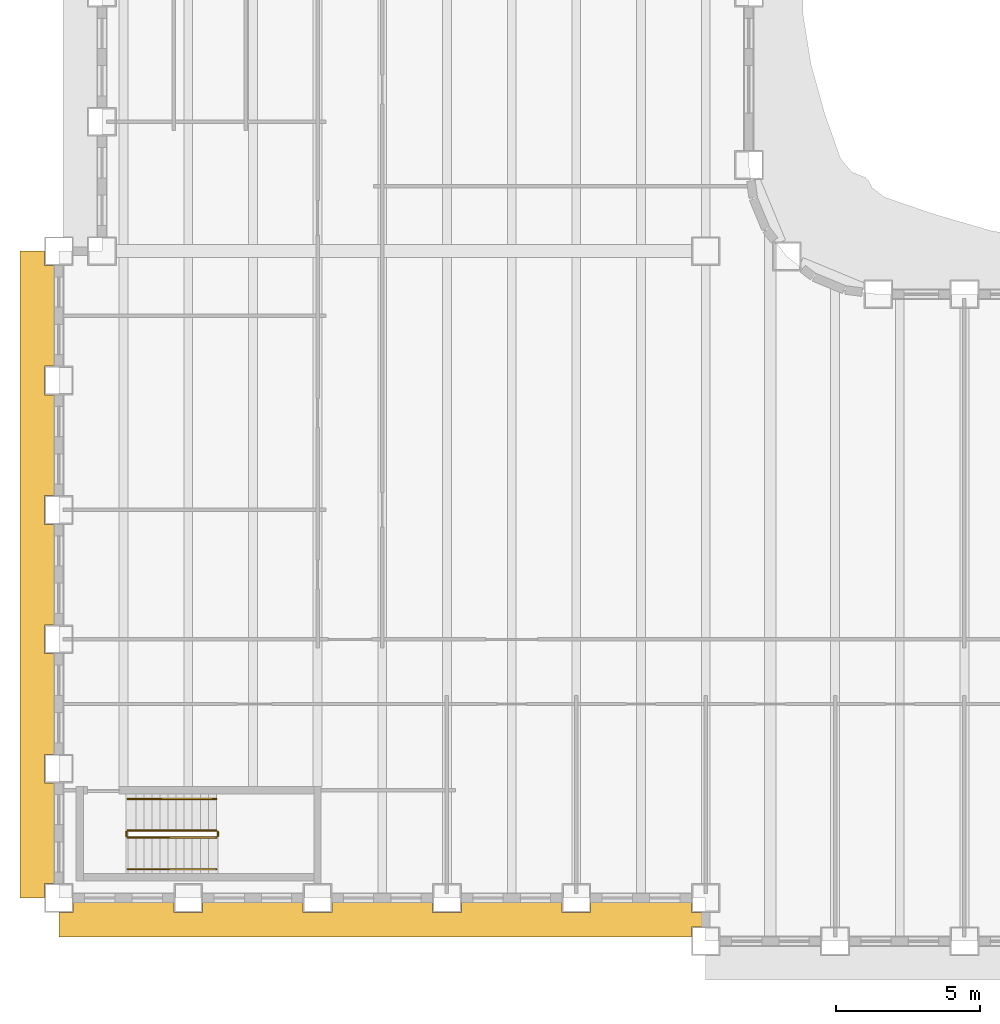
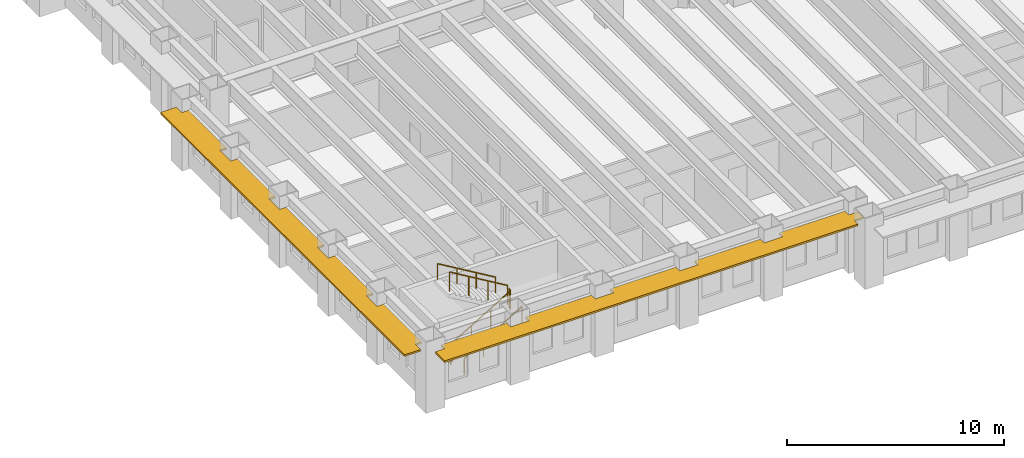
# One storey, part 11 of 16: 6 railings, 2 shading devices.
"""IFC4 building model written with IfcOpenShell, lengths in metres."""

from ifc_helpers import new_model, si_unit, direction, frame, origin, origin_2d, place, context, subcontext, project, spatial, polyline, rectangle, outline, extrude, material, layer, layer_set, type_object, element, save


model = new_model("IFC4")

# Units and contexts
model_context = context("Model", 3, precision=1e-05, world=origin(), true_north=direction((0.0, 1.0)))
body_context = subcontext(model_context, "Body", "Model", "MODEL_VIEW")
ifc_project = project(units=[si_unit("LENGTHUNIT", "METRE"), si_unit("AREAUNIT", "SQUARE_METRE"), si_unit("VOLUMEUNIT", "CUBIC_METRE"), si_unit("PLANEANGLEUNIT", "RADIAN"), si_unit("MASSUNIT", "GRAM", prefix="KILO")], contexts=[model_context])

# Site, building, storey
site_placement = place(None, origin())
site = spatial("IfcSite", under=ifc_project, at=site_placement, CompositionType="ELEMENT")
building_placement = place(site_placement, origin())
building = spatial("IfcBuilding", under=site, at=building_placement, Name="Sennacour Bend Tower", CompositionType="ELEMENT")
storey_placement = place(building_placement, frame((0.0, 0.0, 107.0)))
storey = spatial("IfcBuildingStorey", under=building, at=storey_placement, Name="L24", CompositionType="ELEMENT", Elevation=107.0)

# Railings
ifc_material_1 = material(Name="Stainless steel", Category="steel")
railing_type_1 = type_object("IfcRailingType", Name="RL-GUARD-1100", PredefinedType="GUARDRAIL", material=ifc_material_1)
railing_1_placement = place(storey_placement, frame((2.39990234375, 2.10009765625, 0.166748046875)))
element("IfcRailing", 1, at=railing_1_placement, inside=storey, type_object=railing_type_1, Name="L24 SK1 stair guard 1", PredefinedType="GUARDRAIL", context=body_context, shape_type="SweptSolid", body=[
    extrude(rectangle(XDim=0.048095703125, YDim=0.048095703125, at=origin_2d()), frame((0.0, 0.0, 1.076171875), z_axis=(0.859308565015, 0.0, 0.511457515432), x_axis=(0.0, 1.0, 0.0)), (0.0, 0.0, 1.0), 3.58447265625),
    extrude(rectangle(XDim=0.0419921875, YDim=0.0419921875, at=origin_2d()), origin(), (0.0, 0.0, 1.0), 1.052001953125),
    extrude(rectangle(XDim=0.0419921875, YDim=0.0419921875, at=origin_2d()), frame((1.026611328125, 0.0, 0.611083984375)), (0.0, 0.0, 1.0), 1.052001953125),
    extrude(rectangle(XDim=0.0419921875, YDim=0.0419921875, at=origin_2d()), frame((2.053466796875, 0.0, 1.22216796875)), (0.0, 0.0, 1.0), 1.052001953125),
    extrude(rectangle(XDim=0.0419921875, YDim=0.0419921875, at=origin_2d()), frame((3.080078125, 0.0, 1.833251953125)), (0.0, 0.0, 1.0), 1.052001953125),
])
railing_2_placement = place(storey_placement, frame((5.530029296875, 2.14990234375, 2.0)))
element("IfcRailing", 2, at=railing_2_placement, inside=storey, type_object=railing_type_1, Name="L24 SK1 stair guard 2", PredefinedType="GUARDRAIL", context=body_context, shape_type="SweptSolid", body=[
    extrude(rectangle(XDim=0.048095703125, YDim=0.048095703125, at=origin_2d()), frame((0.0, 0.0, 1.076171875), z_axis=(0.0, 1.0, 0.0), x_axis=(-1.0, 0.0, 0.0)), (0.0, 0.0, 1.0), 0.150146484375),
    extrude(rectangle(XDim=0.0419921875, YDim=0.0419921875, at=origin_2d()), origin(), (0.0, 0.0, 1.0), 1.052001953125),
    extrude(rectangle(XDim=0.0419921875, YDim=0.0419921875, at=origin_2d()), frame((0.0, 0.150146484375, 0.0)), (0.0, 0.0, 1.0), 1.052001953125),
])
railing_3_placement = place(storey_placement, frame((5.47998046875, 2.35009765625, 2.166748046875)))
element("IfcRailing", 3, at=railing_3_placement, inside=storey, type_object=railing_type_1, Name="L24 SK1 stair guard 3", PredefinedType="GUARDRAIL", context=body_context, shape_type="SweptSolid", body=[
    extrude(rectangle(XDim=0.048095703125, YDim=0.048095703125, at=origin_2d()), frame((0.0, 0.0, 1.076171875), z_axis=(-0.859308565015, 0.0, 0.511457515432), x_axis=(0.0, -1.0, 0.0)), (0.0, 0.0, 1.0), 3.58447265625),
    extrude(rectangle(XDim=0.0419921875, YDim=0.0419921875, at=origin_2d()), origin(), (0.0, 0.0, 1.0), 1.052001953125),
    extrude(rectangle(XDim=0.0419921875, YDim=0.0419921875, at=origin_2d()), frame((-1.026611328125, 0.0, 0.611083984375)), (0.0, 0.0, 1.0), 1.052001953125),
    extrude(rectangle(XDim=0.0419921875, YDim=0.0419921875, at=origin_2d()), frame((-2.053466796875, 0.0, 1.22216796875)), (0.0, 0.0, 1.0), 1.052001953125),
    extrude(rectangle(XDim=0.0419921875, YDim=0.0419921875, at=origin_2d()), frame((-3.080078125, 0.0, 1.833251953125)), (0.0, 0.0, 1.0), 1.052001953125),
])
railing_4_placement = place(storey_placement, frame((2.35009765625, 2.14990234375, 0.0)))
element("IfcRailing", 4, at=railing_4_placement, inside=storey, type_object=railing_type_1, Name="L24 SK1 stair guard 4", PredefinedType="GUARDRAIL", context=body_context, shape_type="SweptSolid", body=[
    extrude(rectangle(XDim=0.048095703125, YDim=0.048095703125, at=origin_2d()), frame((0.0, 0.0, 1.076171875), z_axis=(0.0, 1.0, 0.0), x_axis=(-1.0, 0.0, 0.0)), (0.0, 0.0, 1.0), 0.150146484375),
    extrude(rectangle(XDim=0.0419921875, YDim=0.0419921875, at=origin_2d()), origin(), (0.0, 0.0, 1.0), 1.052001953125),
    extrude(rectangle(XDim=0.0419921875, YDim=0.0419921875, at=origin_2d()), frame((0.0, 0.150146484375, 0.0)), (0.0, 0.0, 1.0), 1.052001953125),
])
railing_type_2 = type_object("IfcRailingType", Name="RL-HANDRAIL-900", PredefinedType="HANDRAIL", material=ifc_material_1)
railing_5_placement = place(storey_placement, frame((2.39990234375, 1.0, 0.166748046875)))
element("IfcRailing", 5, at=railing_5_placement, inside=storey, type_object=railing_type_2, Name="L24 SK1 stair handrail 1", PredefinedType="HANDRAIL", context=body_context, shape_type="SweptSolid", body=[
    extrude(rectangle(XDim=0.048095703125, YDim=0.048095703125, at=origin_2d()), frame((0.0, 0.0, 0.8759765625), z_axis=(0.859308565015, 0.0, 0.511457515432), x_axis=(0.0, 1.0, 0.0)), (0.0, 0.0, 1.0), 3.58447265625),
    extrude(rectangle(XDim=0.0419921875, YDim=0.0419921875, at=origin_2d()), origin(), (0.0, 0.0, 1.0), 0.851806640625),
    extrude(rectangle(XDim=0.0419921875, YDim=0.0419921875, at=origin_2d()), frame((1.026611328125, 0.0, 0.611083984375)), (0.0, 0.0, 1.0), 0.851806640625),
    extrude(rectangle(XDim=0.0419921875, YDim=0.0419921875, at=origin_2d()), frame((2.053466796875, 0.0, 1.22216796875)), (0.0, 0.0, 1.0), 0.851806640625),
    extrude(rectangle(XDim=0.0419921875, YDim=0.0419921875, at=origin_2d()), frame((3.080078125, 0.0, 1.833251953125)), (0.0, 0.0, 1.0), 0.851806640625),
])
railing_6_placement = place(storey_placement, frame((5.47998046875, 3.449951171875, 2.166748046875)))
element("IfcRailing", 6, at=railing_6_placement, inside=storey, type_object=railing_type_2, Name="L24 SK1 stair handrail 2", PredefinedType="HANDRAIL", context=body_context, shape_type="SweptSolid", body=[
    extrude(rectangle(XDim=0.048095703125, YDim=0.048095703125, at=origin_2d()), frame((0.0, 0.0, 0.8759765625), z_axis=(-0.859308565015, 0.0, 0.511457515432), x_axis=(0.0, -1.0, 0.0)), (0.0, 0.0, 1.0), 3.58447265625),
    extrude(rectangle(XDim=0.0419921875, YDim=0.0419921875, at=origin_2d()), origin(), (0.0, 0.0, 1.0), 0.851806640625),
    extrude(rectangle(XDim=0.0419921875, YDim=0.0419921875, at=origin_2d()), frame((-1.026611328125, 0.0, 0.611083984375)), (0.0, 0.0, 1.0), 0.851806640625),
    extrude(rectangle(XDim=0.0419921875, YDim=0.0419921875, at=origin_2d()), frame((-2.053466796875, 0.0, 1.22216796875)), (0.0, 0.0, 1.0), 0.851806640625),
    extrude(rectangle(XDim=0.0419921875, YDim=0.0419921875, at=origin_2d()), frame((-3.080078125, 0.0, 1.833251953125)), (0.0, 0.0, 1.0), 0.851806640625),
])

# Shading devices
ifc_material_2 = material(Name="Bronze anodised aluminium", Category="aluminium")
ifc_layer = layer(ifc_material_2, 0.10009765625, Name="Bronze anodised aluminium", Category="aluminium")
ifc_layer_set = layer_set([ifc_layer], Name="Bronze anodised aluminium")
shading_device_type = type_object("IfcShadingDeviceType", Name="SUNSHADE BAND STRAIGHT", PredefinedType="USERDEFINED", material=ifc_layer_set)
shading_device_1_placement = place(storey_placement, frame((0.0, 0.0, 3.053955078125)))
element("IfcShadingDevice", 7, at=shading_device_1_placement, inside=storey, type_object=shading_device_type, Name="Sunshade band L24 K outer face", ObjectType="SUNSHADE", PredefinedType="USERDEFINED", context=body_context, shape_type="SweptSolid", body=[
    extrude(outline(polyline([(-0.14990234375, 18.5), (-0.5, 18.5), (-0.5, 17.5), (-0.14990234375, 17.5), (-0.14990234375, 14.0), (-0.5, 14.0), (-0.5, 13.0), (-0.14990234375, 13.0), (-0.14990234375, 9.5), (-0.5, 9.5), (-0.5, 8.5), (-0.14990234375, 8.5), (-0.14990234375, 5.0), (-0.5, 5.0), (-0.5, 4.0), (-0.14990234375, 4.0), (-0.14990234375, 0.5), (-0.5, 0.5), (-0.5, 0.0), (-1.35009765625, 0.0), (-1.35009765625, 22.5), (-0.5, 22.5), (-0.5, 22.0), (-0.14990234375, 22.0), (-0.14990234375, 18.5)])), origin(), (0.0, 0.0, 1.0), 0.10009765625),
])
shading_device_2_placement = place(storey_placement, frame((0.0, 0.0, 3.053955078125)))
element("IfcShadingDevice", 8, at=shading_device_2_placement, inside=storey, type_object=shading_device_type, Name="Sunshade band L24 K outer face", ObjectType="SUNSHADE", PredefinedType="USERDEFINED", context=body_context, shape_type="SweptSolid", body=[
    extrude(outline(polyline([(4.0, -0.14990234375), (4.0, -0.5), (5.0, -0.5), (5.0, -0.14990234375), (8.5, -0.14990234375), (8.5, -0.5), (9.5, -0.5), (9.5, -0.14990234375), (13.0, -0.14990234375), (13.0, -0.5), (14.0, -0.5), (14.0, -0.14990234375), (17.5, -0.14990234375), (17.5, -0.5), (18.5, -0.5), (18.5, -0.14990234375), (22.0, -0.14990234375), (22.0, -0.5), (22.5, -0.5), (22.5, -1.0), (22.0, -1.0), (22.0, -1.35009765625), (0.0, -1.35009765625), (0.0, -0.5), (0.5, -0.5), (0.5, -0.14990234375), (4.0, -0.14990234375)])), origin(), (0.0, 0.0, 1.0), 0.10009765625),
])

save(model, "model.ifc")
